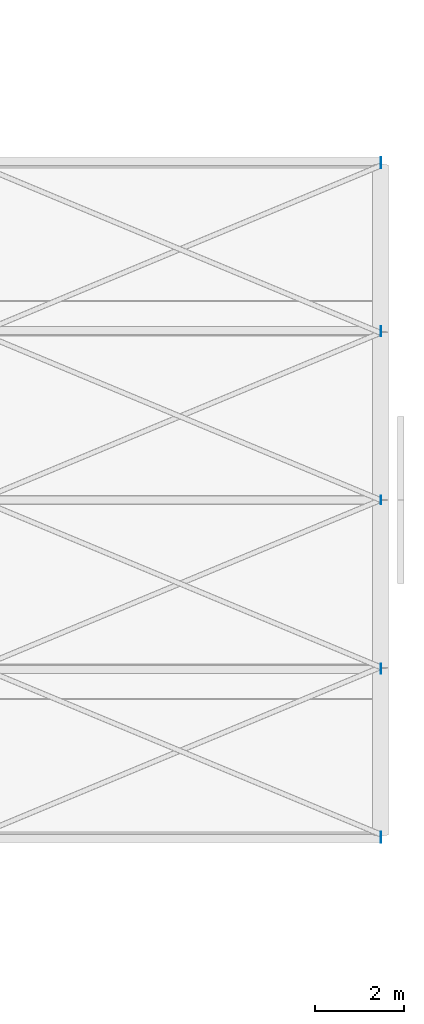
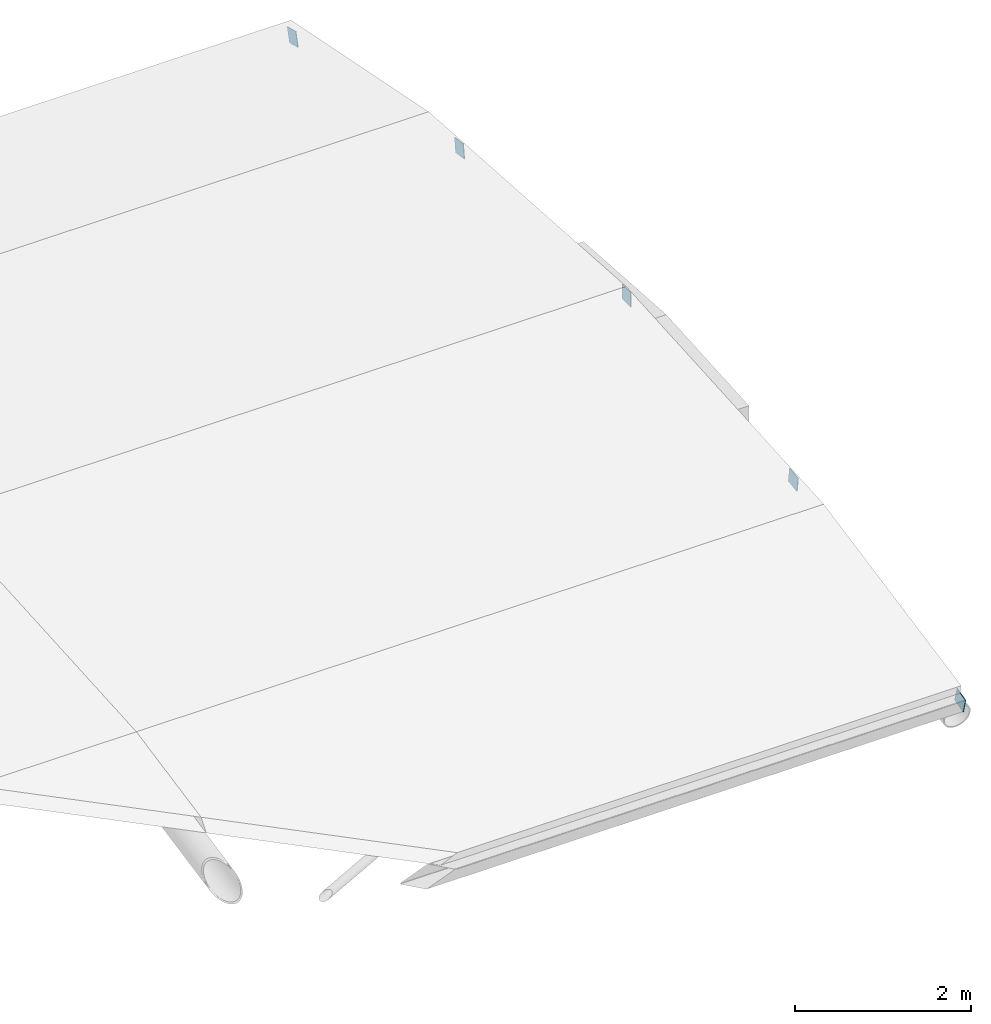
# One storey, part 36 of 43: 5 discrete accessories.
"""IFC4 building model written with IfcOpenShell, lengths in metres."""

from ifc_helpers import new_model, si_unit, direction, frame, origin, origin_2d, place, context, subcontext, project, spatial, rectangle, extrude, material, type_object, element, save


model = new_model("IFC4")

# Units and contexts
model_context = context("Model", 3, precision=1e-05, world=origin(), true_north=direction((0.0, 1.0)))
body_context = subcontext(model_context, "Body", "Model", "MODEL_VIEW")
ifc_project = project(units=[si_unit("LENGTHUNIT", "METRE"), si_unit("AREAUNIT", "SQUARE_METRE"), si_unit("VOLUMEUNIT", "CUBIC_METRE"), si_unit("PLANEANGLEUNIT", "RADIAN"), si_unit("MASSUNIT", "GRAM", prefix="KILO")], contexts=[model_context])

# Site, building, storey
site_placement = place(None, origin())
site = spatial("IfcSite", under=ifc_project, at=site_placement, CompositionType="ELEMENT")
building_placement = place(site_placement, origin())
building = spatial("IfcBuilding", under=site, at=building_placement, Name="Baradari Gate Terminus", CompositionType="ELEMENT")
storey_placement = place(building_placement, frame((0.0, 0.0, 20.10009765625)))
storey = spatial("IfcBuildingStorey", under=building, at=storey_placement, Name="L04", CompositionType="ELEMENT", Elevation=20.10009765625)

# Discrete accessories
ifc_material = material(Name="Steel S355", Category="steel")
discrete_accessory_type = type_object("IfcDiscreteAccessoryType", Name="Hollow section end plate EP-1 200x200x10", PredefinedType="ANCHORPLATE", material=ifc_material)
for number, where, z_axis, x_axis, name in (
    (1, (243.0, 50.931884765625, -0.006591796875), (1.0, 0.0, 0.0), (0.0, 0.966499648767, 0.256667935149), "End plate EP-1 at the end of TR/L04/B243-PU04"),
    (2, (243.0, 54.715087890625, 0.75), (1.0, 0.0, 0.0), (0.0, 0.99130302961, 0.131599025396), "End plate EP-1 at the end of TR/L04/B243-PU05"),
    (3, (243.0, 58.5, 1.002197265625), (1.0, 0.0, 0.0), (0.0, 1.0, 0.0), "End plate EP-1 at the end of TR/L04/B243-PU06"),
    (4, (243.0, 62.284912109375, 0.75), (1.0, 0.0, 0.0), (0.0, 0.99130302961, -0.131599025396), "End plate EP-1 at the end of TR/L04/B243-PU07"),
    (5, (243.0, 66.068115234375, -0.006591796875), (1.0, 0.0, 0.0), (0.0, 0.966499648767, -0.256667935149), "End plate EP-1 at the end of TR/L04/B243-PU08"),
):
    element("IfcDiscreteAccessory", number, at=place(storey_placement, frame(where, z_axis=z_axis, x_axis=x_axis)), inside=storey, type_object=discrete_accessory_type, Name=name, PredefinedType="ANCHORPLATE", context=body_context, shape_type="SweptSolid", body=[
        extrude(rectangle(XDim=0.199951171875, YDim=0.199951171875, at=origin_2d()), origin(), (0.0, 0.0, 1.0), 0.010009765625),
    ])

save(model, "model.ifc")
